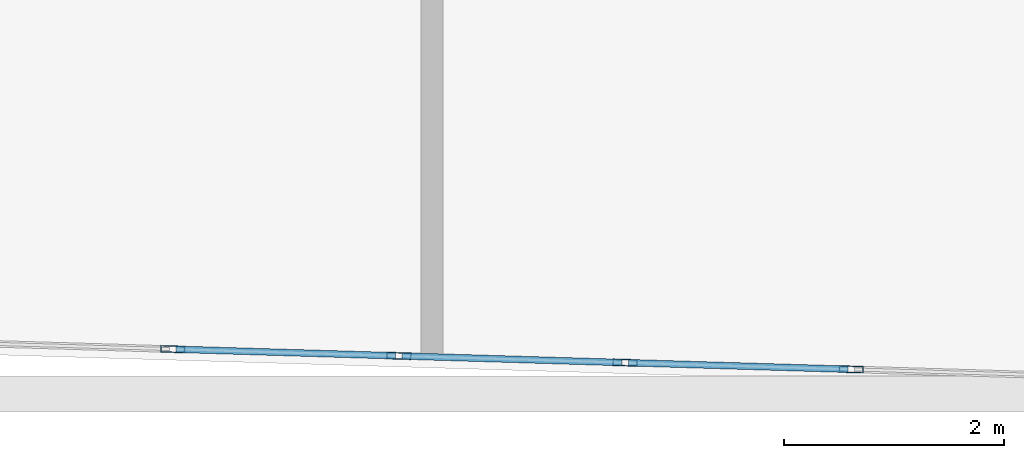
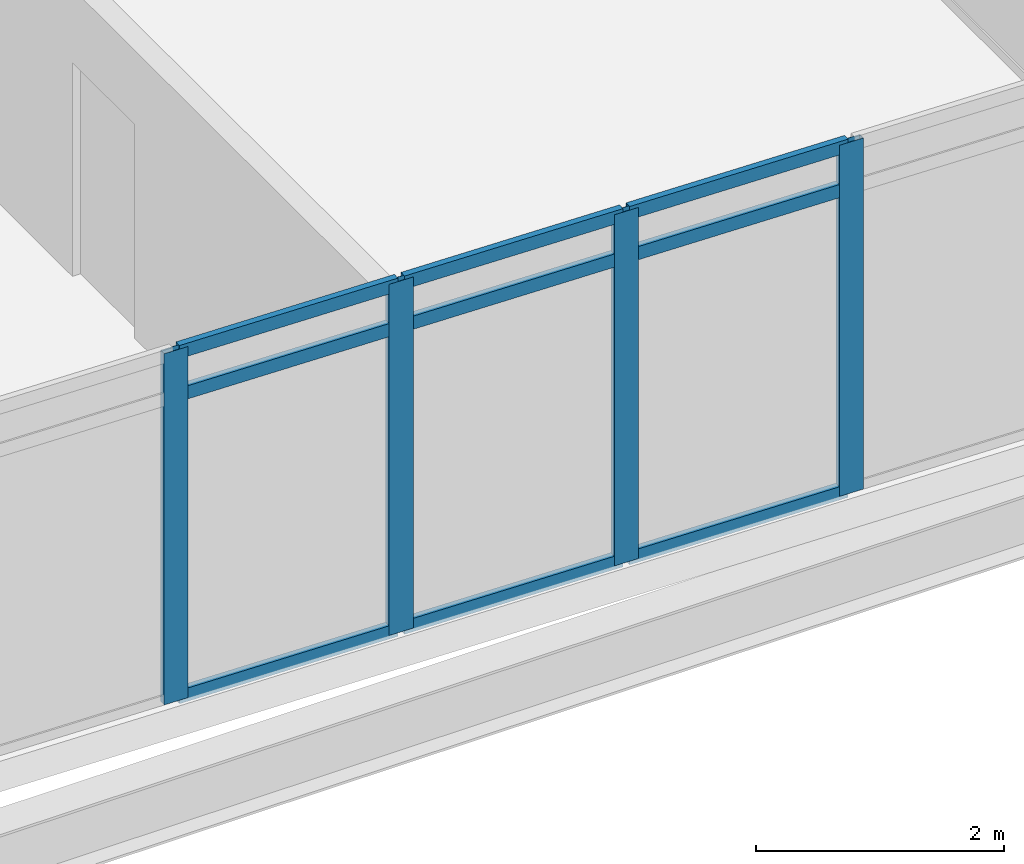
# One storey, part 7 of 28: 13 members, 1 element without a shape of its own.
"""IFC4 building model written with IfcOpenShell, lengths in metres."""

from ifc_helpers import new_model, si_unit, direction, frame, origin, origin_2d, place, context, subcontext, project, spatial, hollow_rectangle, extrude, material, material_profile, profile_set, type_object, element, aggregate, save


model = new_model("IFC4")

# Units and contexts
model_context = context("Model", 3, precision=1e-05, world=origin(), true_north=direction((0.0, 1.0)))
body_context = subcontext(model_context, "Body", "Model", "MODEL_VIEW")
ifc_project = project(units=[si_unit("LENGTHUNIT", "METRE"), si_unit("AREAUNIT", "SQUARE_METRE"), si_unit("VOLUMEUNIT", "CUBIC_METRE"), si_unit("PLANEANGLEUNIT", "RADIAN"), si_unit("MASSUNIT", "GRAM", prefix="KILO")], contexts=[model_context])

# Site, building, storey
site_placement = place(None, origin())
site = spatial("IfcSite", under=ifc_project, at=site_placement, CompositionType="ELEMENT")
building_placement = place(site_placement, origin())
building = spatial("IfcBuilding", under=site, at=building_placement, Name="Ostrander Bayou Hotel Tower", CompositionType="ELEMENT")
storey_placement = place(building_placement, frame((0.0, 0.0, 142.25)))
storey = spatial("IfcBuildingStorey", under=building, at=storey_placement, Name="L35", CompositionType="ELEMENT", Elevation=142.25)

# Curtain wall, members
ifc_material_1 = material(Name="Aluminium and clear glass", Category="aluminium")
curtain_wall_type = type_object("IfcCurtainWallType", Name="CW-BAR glazed wall", PredefinedType="NOTDEFINED", material=ifc_material_1)
curtain_wall_placement = place(storey_placement, origin())
curtain_wall = element("IfcCurtainWall", 1, at=curtain_wall_placement, inside=storey, type_object=curtain_wall_type, Name="CW-BAR L35:SB3S:T", PredefinedType="NOTDEFINED")
ifc_material_2 = material(Name="Aluminium", Category="aluminium")
ifc_material_profile_1 = material_profile(ifc_material_2, hollow_rectangle(XDim=0.06005859375, YDim=0.219970703125, WallThickness=0.00390625, at=origin_2d()))
ifc_profile_set_1 = profile_set([ifc_material_profile_1], Name="Aluminium")
member_type_1 = type_object("IfcMemberType", Name="CW-BR mullion 60 x 220 mm", PredefinedType="MULLION", material=ifc_profile_set_1)
member_1_placement = place(storey_placement, frame((3.084716796875, -31.041748046875, 0.0), z_axis=(0.0, 0.0, 1.0), x_axis=(0.029746242041, 0.999557482631, 0.0)))
member_1 = element("IfcMember", 2, at=member_1_placement, type_object=member_type_1, Name="CW-BAR mullion 9", PredefinedType="MULLION", context=body_context, shape_type="SweptSolid", body=[
    extrude(hollow_rectangle(XDim=0.06005859375, YDim=0.219970703125, WallThickness=0.00390625, at=origin_2d()), origin(), (0.0, 0.0, 1.0), 3.449951171875),
])
member_2_placement = place(storey_placement, frame((5.14111328125, -31.10302734375, 0.0), z_axis=(0.0, 0.0, 1.0), x_axis=(0.029746242041, 0.999557482631, 0.0)))
member_2 = element("IfcMember", 3, at=member_2_placement, type_object=member_type_1, Name="CW-BAR mullion 10", PredefinedType="MULLION", context=body_context, shape_type="SweptSolid", body=[
    extrude(hollow_rectangle(XDim=0.06005859375, YDim=0.219970703125, WallThickness=0.00390625, at=origin_2d()), origin(), (0.0, 0.0, 1.0), 3.449951171875),
])
member_3_placement = place(storey_placement, frame((7.19775390625, -31.164306640625, 0.0), z_axis=(0.0, 0.0, 1.0), x_axis=(0.029746242041, 0.999557482631, 0.0)))
member_3 = element("IfcMember", 4, at=member_3_placement, type_object=member_type_1, Name="CW-BAR mullion 11", PredefinedType="MULLION", context=body_context, shape_type="SweptSolid", body=[
    extrude(hollow_rectangle(XDim=0.06005859375, YDim=0.219970703125, WallThickness=0.00390625, at=origin_2d()), origin(), (0.0, 0.0, 1.0), 3.449951171875),
])
member_4_placement = place(storey_placement, frame((9.254150390625, -31.225341796875, 0.0), z_axis=(0.0, 0.0, 1.0), x_axis=(0.029746242041, 0.999557482631, 0.0)))
member_4 = element("IfcMember", 5, at=member_4_placement, type_object=member_type_1, Name="CW-BAR mullion 12", PredefinedType="MULLION", context=body_context, shape_type="SweptSolid", body=[
    extrude(hollow_rectangle(XDim=0.06005859375, YDim=0.219970703125, WallThickness=0.00390625, at=origin_2d()), origin(), (0.0, 0.0, 1.0), 3.449951171875),
])
ifc_material_3 = material(Name="Aluminium", Category="aluminium")
ifc_material_profile_2 = material_profile(ifc_material_3, hollow_rectangle(XDim=0.06005859375, YDim=0.1298828125, WallThickness=0.00390625, at=origin_2d()))
ifc_profile_set_2 = profile_set([ifc_material_profile_2], Name="Aluminium")
member_type_2 = type_object("IfcMemberType", Name="CW-BR transom 60 x 130 mm", PredefinedType="USERDEFINED", material=ifc_profile_set_2)
member_5_placement = place(storey_placement, frame((3.11474609375, -31.042724609375, 0.030029296875), z_axis=(0.999558835181, -0.029700757758, 0.0), x_axis=(0.029700757758, 0.999558835181, 0.0)))
member_5 = element("IfcMember", 6, at=member_5_placement, type_object=member_type_2, Name="CW-BAR transom 9.1", ObjectType="TRANSOM", PredefinedType="USERDEFINED", context=body_context, shape_type="SweptSolid", body=[
    extrude(hollow_rectangle(XDim=0.06005859375, YDim=0.1298828125, WallThickness=0.00390625, at=origin_2d()), origin(), (0.0, 0.0, 1.0), 1.99755859375),
])
member_6_placement = place(storey_placement, frame((3.11474609375, -31.042724609375, 3.0), z_axis=(0.999558835181, -0.029700757758, 0.0), x_axis=(0.029700757758, 0.999558835181, 0.0)))
member_6 = element("IfcMember", 7, at=member_6_placement, type_object=member_type_2, Name="CW-BAR transom 9.2", ObjectType="TRANSOM", PredefinedType="USERDEFINED", context=body_context, shape_type="SweptSolid", body=[
    extrude(hollow_rectangle(XDim=0.06005859375, YDim=0.1298828125, WallThickness=0.00390625, at=origin_2d()), origin(), (0.0, 0.0, 1.0), 1.99755859375),
])
member_7_placement = place(storey_placement, frame((3.11474609375, -31.042724609375, 3.419921875), z_axis=(0.999558835181, -0.029700757758, 0.0), x_axis=(0.029700757758, 0.999558835181, 0.0)))
member_7 = element("IfcMember", 8, at=member_7_placement, type_object=member_type_2, Name="CW-BAR transom 9.3", ObjectType="TRANSOM", PredefinedType="USERDEFINED", context=body_context, shape_type="SweptSolid", body=[
    extrude(hollow_rectangle(XDim=0.06005859375, YDim=0.1298828125, WallThickness=0.00390625, at=origin_2d()), origin(), (0.0, 0.0, 1.0), 1.99755859375),
])
member_8_placement = place(storey_placement, frame((5.171142578125, -31.10400390625, 0.030029296875), z_axis=(0.999558835181, -0.029700757758, 0.0), x_axis=(0.029700757758, 0.999558835181, 0.0)))
member_8 = element("IfcMember", 9, at=member_8_placement, type_object=member_type_2, Name="CW-BAR transom 10.1", ObjectType="TRANSOM", PredefinedType="USERDEFINED", context=body_context, shape_type="SweptSolid", body=[
    extrude(hollow_rectangle(XDim=0.06005859375, YDim=0.1298828125, WallThickness=0.00390625, at=origin_2d()), origin(), (0.0, 0.0, 1.0), 1.99755859375),
])
member_9_placement = place(storey_placement, frame((5.171142578125, -31.10400390625, 3.0), z_axis=(0.999558835181, -0.029700757758, 0.0), x_axis=(0.029700757758, 0.999558835181, 0.0)))
member_9 = element("IfcMember", 10, at=member_9_placement, type_object=member_type_2, Name="CW-BAR transom 10.2", ObjectType="TRANSOM", PredefinedType="USERDEFINED", context=body_context, shape_type="SweptSolid", body=[
    extrude(hollow_rectangle(XDim=0.06005859375, YDim=0.1298828125, WallThickness=0.00390625, at=origin_2d()), origin(), (0.0, 0.0, 1.0), 1.99755859375),
])
member_10_placement = place(storey_placement, frame((5.171142578125, -31.10400390625, 3.419921875), z_axis=(0.999558835181, -0.029700757758, 0.0), x_axis=(0.029700757758, 0.999558835181, 0.0)))
member_10 = element("IfcMember", 11, at=member_10_placement, type_object=member_type_2, Name="CW-BAR transom 10.3", ObjectType="TRANSOM", PredefinedType="USERDEFINED", context=body_context, shape_type="SweptSolid", body=[
    extrude(hollow_rectangle(XDim=0.06005859375, YDim=0.1298828125, WallThickness=0.00390625, at=origin_2d()), origin(), (0.0, 0.0, 1.0), 1.99755859375),
])
member_11_placement = place(storey_placement, frame((7.227783203125, -31.1650390625, 0.030029296875), z_axis=(0.999555090424, -0.029826518535, 0.0), x_axis=(0.029826518535, 0.999555090424, 0.0)))
member_11 = element("IfcMember", 12, at=member_11_placement, type_object=member_type_2, Name="CW-BAR transom 11.1", ObjectType="TRANSOM", PredefinedType="USERDEFINED", context=body_context, shape_type="SweptSolid", body=[
    extrude(hollow_rectangle(XDim=0.06005859375, YDim=0.1298828125, WallThickness=0.00390625, at=origin_2d()), origin(), (0.0, 0.0, 1.0), 1.997314453125),
])
member_12_placement = place(storey_placement, frame((7.227783203125, -31.1650390625, 3.0), z_axis=(0.999555090424, -0.029826518535, 0.0), x_axis=(0.029826518535, 0.999555090424, 0.0)))
member_12 = element("IfcMember", 13, at=member_12_placement, type_object=member_type_2, Name="CW-BAR transom 11.2", ObjectType="TRANSOM", PredefinedType="USERDEFINED", context=body_context, shape_type="SweptSolid", body=[
    extrude(hollow_rectangle(XDim=0.06005859375, YDim=0.1298828125, WallThickness=0.00390625, at=origin_2d()), origin(), (0.0, 0.0, 1.0), 1.997314453125),
])
member_13_placement = place(storey_placement, frame((7.227783203125, -31.1650390625, 3.419921875), z_axis=(0.999555090424, -0.029826518535, 0.0), x_axis=(0.029826518535, 0.999555090424, 0.0)))
member_13 = element("IfcMember", 14, at=member_13_placement, type_object=member_type_2, Name="CW-BAR transom 11.3", ObjectType="TRANSOM", PredefinedType="USERDEFINED", context=body_context, shape_type="SweptSolid", body=[
    extrude(hollow_rectangle(XDim=0.06005859375, YDim=0.1298828125, WallThickness=0.00390625, at=origin_2d()), origin(), (0.0, 0.0, 1.0), 1.997314453125),
])
aggregate(curtain_wall, [member_1, member_2, member_3, member_4, member_5, member_6, member_7, member_8, member_9, member_10, member_11, member_12, member_13])

save(model, "model.ifc")
